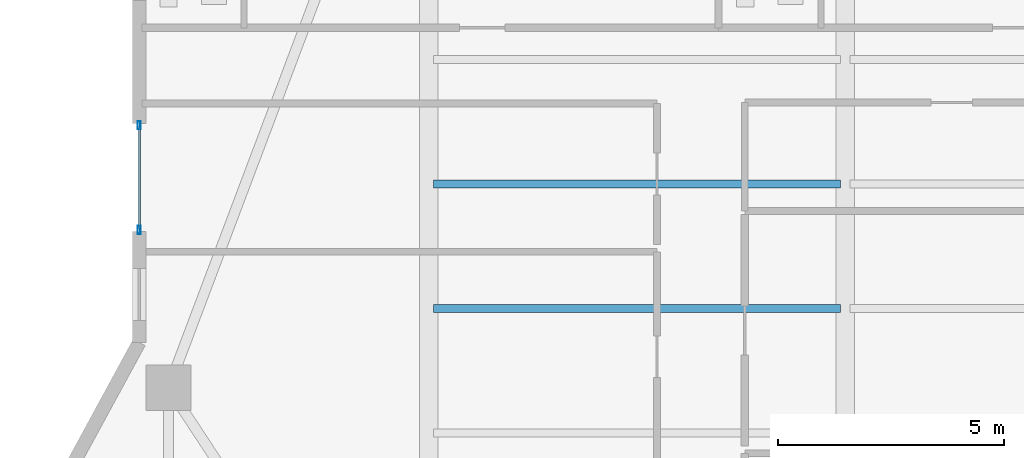
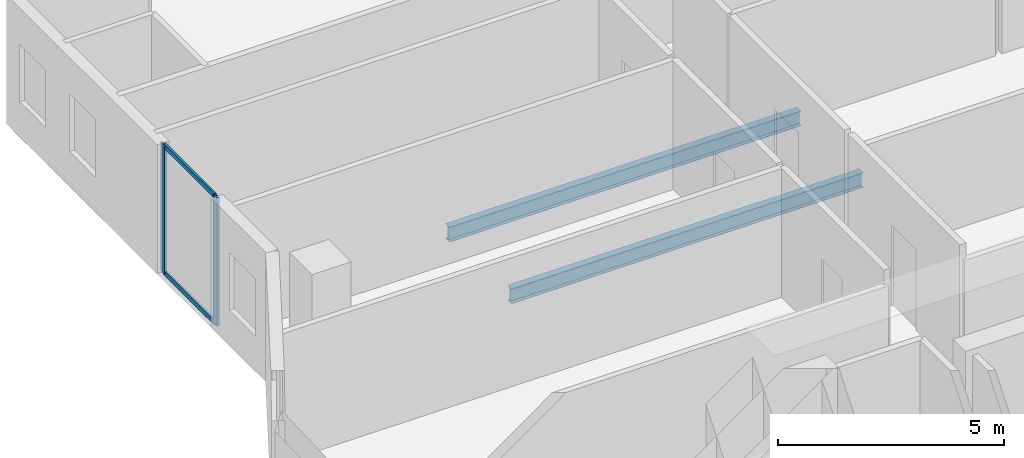
# One storey, part 6 of 23: 4 members, 2 beams, 1 element without a shape of its own.
"""IFC4 building model written with IfcOpenShell, lengths in metres."""

from ifc_helpers import new_model, si_unit, direction, frame, origin, origin_2d, place, context, subcontext, project, spatial, hollow_rectangle, i_section, extrude, material, layer, layer_set, material_profile, profile_set, type_object, element, aggregate, save


model = new_model("IFC4")

# Units and contexts
model_context = context("Model", 3, precision=1e-05, world=origin(), true_north=direction((0.0, 1.0)))
body_context = subcontext(model_context, "Body", "Model", "MODEL_VIEW")
ifc_project = project(units=[si_unit("LENGTHUNIT", "METRE"), si_unit("AREAUNIT", "SQUARE_METRE"), si_unit("VOLUMEUNIT", "CUBIC_METRE"), si_unit("PLANEANGLEUNIT", "RADIAN"), si_unit("MASSUNIT", "GRAM", prefix="KILO")], contexts=[model_context])

# Site, building, storey
site_placement = place(None, origin())
site = spatial("IfcSite", under=ifc_project, at=site_placement, CompositionType="ELEMENT")
building_placement = place(site_placement, origin())
building = spatial("IfcBuilding", under=site, at=building_placement, Name="Zuhayl Quay Hotel", CompositionType="ELEMENT")
storey_placement = place(building_placement, frame((0.0, 0.0, 265.550048828125)))
storey = spatial("IfcBuildingStorey", under=building, at=storey_placement, Name="L67", CompositionType="ELEMENT", Elevation=265.550048828125)

# Beams
ifc_material_1 = material(Name="Steel ASTM A992 Grade 50", Category="steel")
ifc_material_profile_1 = material_profile(ifc_material_1, i_section(OverallWidth=0.177978515625, OverallDepth=0.404052734375, WebThickness=0.007568359375, FlangeThickness=0.010986328125, at=origin_2d()), Name="W16X36")
ifc_profile_set_1 = profile_set([ifc_material_profile_1], Name="Steel ASTM A992 Grade 50")
beam_type = type_object("IfcBeamType", Name="BM_J3_W16X36", PredefinedType="JOIST", material=ifc_profile_set_1)
for number, where, z_axis, x_axis, name in (
    (1, (-13.694091796875, 24.85009765625, -0.422119140625), (1.0, 0.0, 0.0), (0.0, 1.0, 0.0), "L67 Floor Beam FJ_L67_4_1"),
    (2, (-13.694091796875, 27.60009765625, -0.422119140625), (1.0, 0.0, 0.0), (0.0, 1.0, 0.0), "L67 Floor Beam FJ_L67_5_1"),
):
    element("IfcBeam", number, at=place(storey_placement, frame(where, z_axis=z_axis, x_axis=x_axis)), inside=storey, type_object=beam_type, Name=name, PredefinedType="JOIST", context=body_context, shape_type="SweptSolid", body=[
        extrude(i_section(OverallWidth=0.177978515625, OverallDepth=0.404052734375, WebThickness=0.007568359375, FlangeThickness=0.010986328125, at=origin_2d()), origin(), (0.0, 0.0, 1.0), 8.988037109375),
    ])

# Curtain wall, members
ifc_material_2 = material(Name="Anodised Aluminium 6063-T6", Category="aluminium")
ifc_layer = layer(ifc_material_2, 0.169921875, Name="Anodised Aluminium 6063-T6", Category="aluminium")
ifc_layer_set = layer_set([ifc_layer], Name="Anodised Aluminium 6063-T6")
curtain_wall_type = type_object("IfcCurtainWallType", Name="CW_SYS_Z4", PredefinedType="USERDEFINED", material=ifc_layer_set)
curtain_wall_placement = place(storey_placement, origin())
curtain_wall = element("IfcCurtainWall", 3, at=curtain_wall_placement, inside=storey, type_object=curtain_wall_type, Name="L67 Curtain Wall ENV_L67_E05_CW1", ObjectType="UNITISED CURTAIN WALL", PredefinedType="USERDEFINED")
ifc_material_3 = material(Name="Black-anodised aluminium 6063-T6", Category="aluminium")
ifc_material_profile_2 = material_profile(ifc_material_3, hollow_rectangle(XDim=0.06494140625, YDim=0.179931640625, WallThickness=0.00341796875, at=origin_2d()), Name="ALU180X65")
ifc_profile_set_2 = profile_set([ifc_material_profile_2], Name="Black-anodised aluminium 6063-T6")
member_type_1 = type_object("IfcMemberType", Name="MB_CW_MUL_180", PredefinedType="MULLION", material=ifc_profile_set_2)
member_1_placement = place(storey_placement, frame((-20.199951171875, 26.58251953125, 0.0), z_axis=(0.0, 0.0, 1.0), x_axis=(-1.0, 0.0, 0.0)))
member_1 = element("IfcMember", 4, at=member_1_placement, type_object=member_type_1, Name="CW-Z4 mullion 1", PredefinedType="MULLION", context=body_context, shape_type="SweptSolid", body=[
    extrude(hollow_rectangle(XDim=0.06494140625, YDim=0.179931640625, WallThickness=0.00341796875, at=origin_2d()), origin(), (0.0, 0.0, 1.0), 3.47998046875),
])
member_2_placement = place(storey_placement, frame((-20.199951171875, 28.8974609375, 0.0), z_axis=(0.0, 0.0, 1.0), x_axis=(-1.0, 0.0, 0.0)))
member_2 = element("IfcMember", 5, at=member_2_placement, type_object=member_type_1, Name="CW-Z4 mullion 2", PredefinedType="MULLION", context=body_context, shape_type="SweptSolid", body=[
    extrude(hollow_rectangle(XDim=0.06494140625, YDim=0.179931640625, WallThickness=0.00341796875, at=origin_2d()), origin(), (0.0, 0.0, 1.0), 3.47998046875),
])
ifc_material_profile_3 = material_profile(ifc_material_3, hollow_rectangle(XDim=0.054931640625, YDim=0.1298828125, WallThickness=0.0029296875, at=origin_2d()), Name="ALU130X55")
ifc_profile_set_3 = profile_set([ifc_material_profile_3], Name="Black-anodised aluminium 6063-T6")
member_type_2 = type_object("IfcMemberType", Name="MB_CW_TRN_130", PredefinedType="USERDEFINED", material=ifc_profile_set_3)
member_3_placement = place(storey_placement, frame((-20.199951171875, 26.614990234375, 0.02734375), z_axis=(0.0, 1.0, 0.0), x_axis=(-1.0, 0.0, 0.0)))
member_3 = element("IfcMember", 6, at=member_3_placement, type_object=member_type_2, Name="CW-Z4 transom 1.1", ObjectType="TRANSOM", PredefinedType="USERDEFINED", context=body_context, shape_type="SweptSolid", body=[
    extrude(hollow_rectangle(XDim=0.054931640625, YDim=0.1298828125, WallThickness=0.0029296875, at=origin_2d()), origin(), (0.0, 0.0, 1.0), 2.25),
])
member_4_placement = place(storey_placement, frame((-20.199951171875, 26.614990234375, 3.452392578125), z_axis=(0.0, 1.0, 0.0), x_axis=(-1.0, 0.0, 0.0)))
member_4 = element("IfcMember", 7, at=member_4_placement, type_object=member_type_2, Name="CW-Z4 transom 1.2", ObjectType="TRANSOM", PredefinedType="USERDEFINED", context=body_context, shape_type="SweptSolid", body=[
    extrude(hollow_rectangle(XDim=0.054931640625, YDim=0.1298828125, WallThickness=0.0029296875, at=origin_2d()), origin(), (0.0, 0.0, 1.0), 2.25),
])
aggregate(curtain_wall, [member_1, member_2, member_3, member_4])

save(model, "model.ifc")
